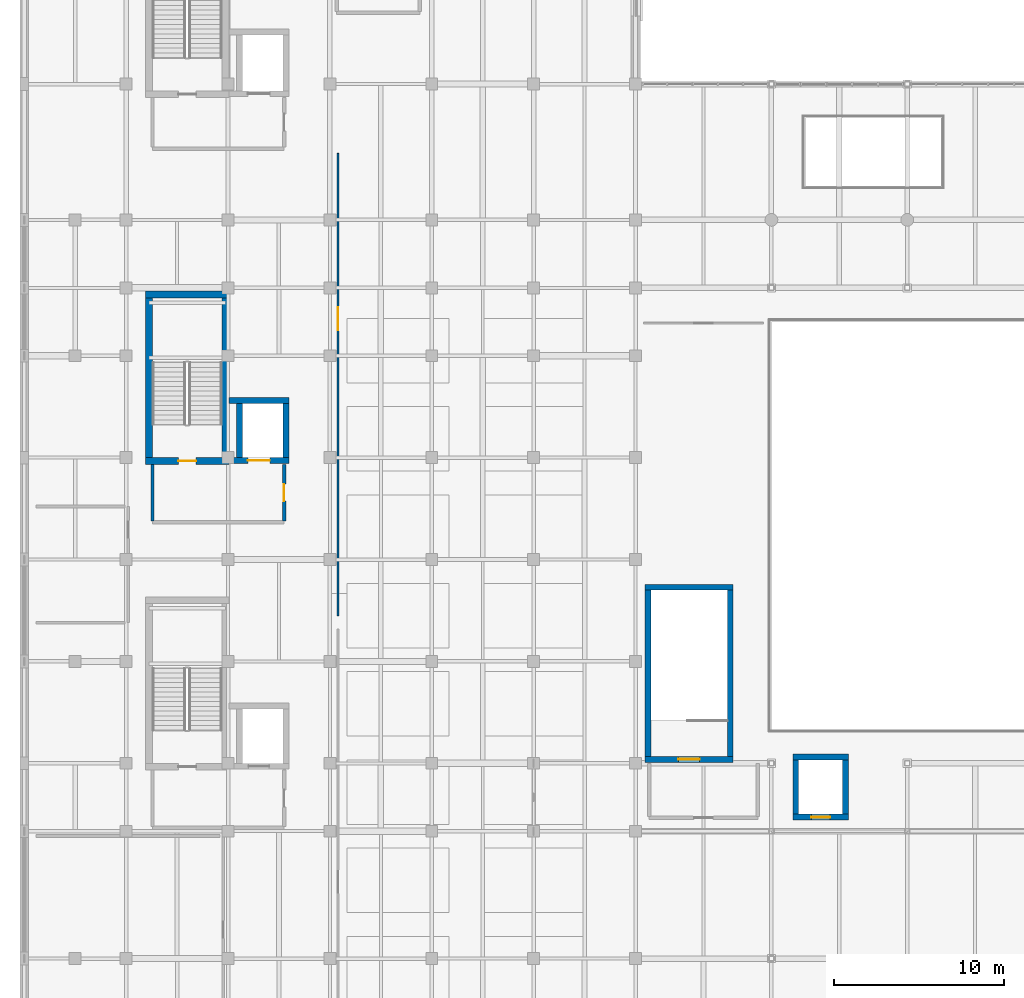
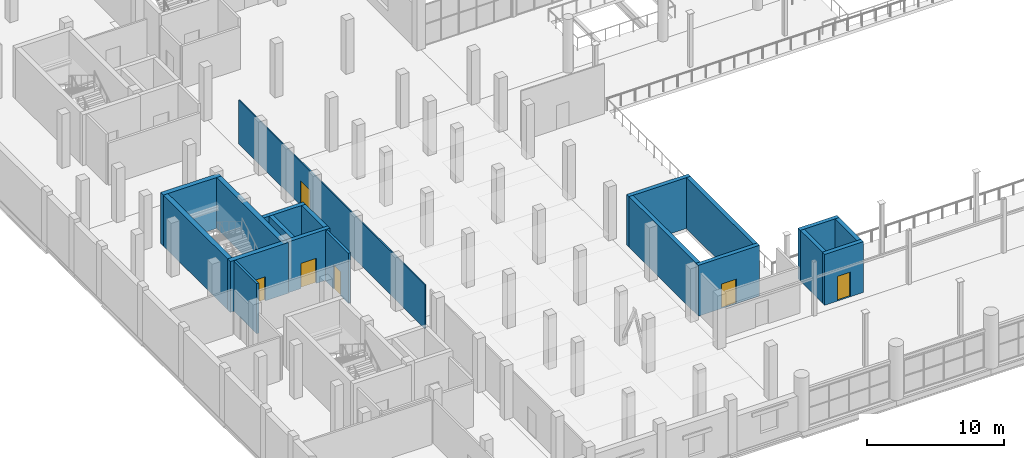
# One storey, part 97 of 114: 19 walls, 6 doors, 6 openings.
"""IFC4 building model written with IfcOpenShell, lengths in metres."""

from ifc_helpers import new_model, si_unit, direction, frame, frame_2d, origin, place, context, subcontext, project, spatial, rectangle, extrude, material, layer, layer_set, type_object, element, fill, save


model = new_model("IFC4")

# Units and contexts
model_context = context("Model", 3, precision=1e-05, world=origin(), true_north=direction((0.0, 1.0)))
body_context = subcontext(model_context, "Body", "Model", "MODEL_VIEW")
ifc_project = project(units=[si_unit("LENGTHUNIT", "METRE"), si_unit("AREAUNIT", "SQUARE_METRE"), si_unit("VOLUMEUNIT", "CUBIC_METRE"), si_unit("PLANEANGLEUNIT", "RADIAN"), si_unit("MASSUNIT", "GRAM", prefix="KILO")], contexts=[model_context])

# Site, building, storey
site_placement = place(None, origin())
site = spatial("IfcSite", under=ifc_project, at=site_placement, CompositionType="ELEMENT")
building_placement = place(site_placement, origin())
building = spatial("IfcBuilding", under=site, at=building_placement, Name="Verrall Gate Interchange", CompositionType="ELEMENT")
storey_placement = place(building_placement, frame((0.0, 0.0, 6.60009765625)))
storey = spatial("IfcBuildingStorey", under=building, at=storey_placement, Name="L02", CompositionType="ELEMENT", Elevation=6.60009765625)

# Wall
ifc_material_1 = material(Name="Fire-Rated Type X Gypsum Stud Partition Assembly (60 min)", Category="gypsum")
ifc_layer_1 = layer(ifc_material_1, 0.199951171875)
ifc_layer_set_1 = layer_set([ifc_layer_1], Name="Fire-Rated Type X Gypsum Stud Partition Assembly (60 min)")
wall_type_1 = type_object("IfcWallType", Name="IW-01 Interior Partition Wall 200", PredefinedType="PARTITIONING", material=ifc_layer_set_1)
wall_1_placement = place(storey_placement, frame((7.550048828125, 33.60009765625, 0.0), z_axis=(0.0, 0.0, 1.0), x_axis=(0.0, -1.0, 0.0)))
element("IfcWall", 1, at=wall_1_placement, inside=storey, type_object=wall_type_1, Name="L02 Core C2 Lobby West Rated Wall", PredefinedType="PARTITIONING", context=body_context, shape_type="SweptSolid", body=[
    extrude(rectangle(XDim=3.320068359375, YDim=0.199951171875, at=frame_2d((1.66015625, 0.0))), origin(), (0.0, 0.0, 1.0), 4.47998046875),
])

# Wall, opening, door
wall_2_placement = place(storey_placement, frame((15.300048828125, 30.280029296875, 0.0), z_axis=(0.0, 0.0, 1.0), x_axis=(0.0, 1.0, 0.0)))
wall_2 = element("IfcWall", 2, at=wall_2_placement, inside=storey, type_object=wall_type_1, Name="L02 Core C2 Lobby East Rated Wall", PredefinedType="PARTITIONING", context=body_context, shape_type="SweptSolid", body=[
    extrude(rectangle(XDim=3.320068359375, YDim=0.199951171875, at=frame_2d((1.66015625, 0.0))), origin(), (0.0, 0.0, 1.0), 4.47998046875),
])
opening_1_placement = place(wall_2_placement, frame((1.159912109375, 0.0, 0.0)))
opening_1 = element("IfcOpeningElement", 3, at=opening_1_placement, cuts=wall_2, Name="Opening LBD031", PredefinedType="OPENING", context=body_context, shape_type="SweptSolid", body=[
    extrude(rectangle(XDim=1.0, YDim=2.14990234375, at=frame_2d((0.5, 1.074951171875))), frame((0.0, 0.11474609375, 0.0), z_axis=(0.0, -1.0, 0.0), x_axis=(1.0, 0.0, 0.0)), (0.0, 0.0, 1.0), 0.229736328125),
])
ifc_material_2 = material(Name="Hollow-Metal Fire-Rated Door Assembly", Category="metal")
door_type_1 = type_object("IfcDoorType", Name="ID-05 Interior Swing Door 1000x2150", OperationType="NOTDEFINED", PredefinedType="DOOR", material=ifc_material_2)
door_1_placement = place(opening_1_placement, origin())
door_1 = element("IfcDoor", 4, at=door_1_placement, inside=storey, type_object=door_type_1, Name="L02 Core C2 Lobby Fire Door LBD031", OperationType="SINGLE_SWING_LEFT", OverallHeight=2.14990234375, OverallWidth=1.0, PredefinedType="DOOR", context=body_context, shape_type="SweptSolid", body=[
    extrude(rectangle(XDim=1.0, YDim=2.14990234375, at=frame_2d((0.5, 1.074951171875))), frame((0.0, 0.02490234375, 0.0), z_axis=(0.0, -1.0, 0.0), x_axis=(1.0, 0.0, 0.0)), (0.0, 0.0, 1.0), 0.050048828125),
])
fill(opening_1, door_1)

ifc_material_3 = material(Name="Acoustic Steel-Stud Partition Assembly", Category="steel")
ifc_layer_2 = layer(ifc_material_3, 0.10009765625)
ifc_layer_set_2 = layer_set([ifc_layer_2], Name="Acoustic Steel-Stud Partition Assembly")
wall_type_2 = type_object("IfcWallType", Name="IW-05 Interior Partition Wall 100", PredefinedType="PARTITIONING", material=ifc_layer_set_2)
wall_3_placement = place(storey_placement, frame((18.47998046875, 24.679931640625, 0.0), z_axis=(0.0, 0.0, 1.0), x_axis=(0.0, 1.0, 0.0)))
wall_3 = element("IfcWall", 5, at=wall_3_placement, inside=storey, type_object=wall_type_2, Name="L02 Operator Duty Rest and Locker Suite Partition 041", PredefinedType="PARTITIONING", context=body_context, shape_type="SweptSolid", body=[
    extrude(rectangle(XDim=27.239990234375, YDim=0.10009765625, at=frame_2d((13.6201171875, 0.0))), origin(), (0.0, 0.0, 1.0), 3.910888671875),
])
opening_2_placement = place(wall_3_placement, frame((16.822021484375, 0.0, 0.0)))
opening_2 = element("IfcOpeningElement", 6, at=opening_2_placement, cuts=wall_3, Name="Opening D034", PredefinedType="OPENING", context=body_context, shape_type="SweptSolid", body=[
    extrude(rectangle(XDim=1.360107421875, YDim=2.199951171875, at=frame_2d((0.68017578125, 1.10009765625))), frame((0.0, 0.06494140625, 0.0), z_axis=(0.0, -1.0, 0.0), x_axis=(1.0, 0.0, 0.0)), (0.0, 0.0, 1.0), 0.1298828125),
])
ifc_material_4 = material(Name="Architectural Solid-Core Birch Acoustic Door Assembly", Category="wood")
door_type_2 = type_object("IfcDoorType", Name="ID-17 Interior Swing Door 1360x2200", OperationType="NOTDEFINED", PredefinedType="DOOR", material=ifc_material_4)
door_2_placement = place(opening_2_placement, origin())
door_2 = element("IfcDoor", 7, at=door_2_placement, inside=storey, type_object=door_type_2, Name="L02 Operator Duty Rest and Locker Suite Door D034", OperationType="SINGLE_SWING_LEFT", OverallHeight=2.199951171875, OverallWidth=1.360107421875, PredefinedType="DOOR", context=body_context, shape_type="SweptSolid", body=[
    extrude(rectangle(XDim=1.360107421875, YDim=2.199951171875, at=frame_2d((0.68017578125, 1.10009765625))), frame((0.0, 0.02490234375, 0.0), z_axis=(0.0, -1.0, 0.0), x_axis=(1.0, 0.0, 0.0)), (0.0, 0.0, 1.0), 0.050048828125),
])
fill(opening_2, door_2)

ifc_material_5 = material(Name="Concrete CSA A23.1 40 MPa (Class N)", Category="concrete")
ifc_layer_3 = layer(ifc_material_5, 0.39990234375)
ifc_layer_set_3 = layer_set([ifc_layer_3], Name="Concrete CSA A23.1 40 MPa (Class N)")
wall_type_3 = type_object("IfcWallType", Name="SW-01 Core Shear Wall 400", PredefinedType="SHEAR", material=ifc_layer_set_3)
wall_4_placement = place(storey_placement, frame((7.14990234375, 33.800048828125, 0.0), z_axis=(0.0, 0.0, 1.0), x_axis=(1.0, 0.0, 0.0)))
wall_4 = element("IfcWall", 8, at=wall_4_placement, inside=storey, type_object=wall_type_3, Name="L02 Core C2 South Shear Wall", PredefinedType="SHEAR", context=body_context, shape_type="SweptSolid", body=[
    extrude(rectangle(XDim=4.900146484375, YDim=0.39990234375, at=frame_2d((2.4501953125, 0.0))), origin(), (0.0, 0.0, 1.0), 4.539794921875),
])
opening_3_placement = place(wall_4_placement, frame((1.925048828125, 0.0, 0.0)))
opening_3 = element("IfcOpeningElement", 9, at=opening_3_placement, cuts=wall_4, Name="Opening SD022", PredefinedType="OPENING", context=body_context, shape_type="SweptSolid", body=[
    extrude(rectangle(XDim=1.050048828125, YDim=2.14990234375, at=frame_2d((0.52490234375, 1.074951171875))), frame((0.0, 0.21484375, 0.0), z_axis=(0.0, -1.0, 0.0), x_axis=(1.0, 0.0, 0.0)), (0.0, 0.0, 1.0), 0.4296875),
])
ifc_material_6 = material(Name="Hollow-Metal Fire-Rated Door Assembly", Category="metal")
door_type_3 = type_object("IfcDoorType", Name="ID-01 Interior Swing Door 1050x2150", OperationType="NOTDEFINED", PredefinedType="DOOR", material=ifc_material_6)
door_3_placement = place(opening_3_placement, origin())
door_3 = element("IfcDoor", 10, at=door_3_placement, inside=storey, type_object=door_type_3, Name="L02 Stair ST-02 Fire Door SD022", OperationType="SINGLE_SWING_RIGHT", OverallHeight=2.14990234375, OverallWidth=1.050048828125, PredefinedType="DOOR", context=body_context, shape_type="SweptSolid", body=[
    extrude(rectangle(XDim=1.050048828125, YDim=2.14990234375, at=frame_2d((0.52490234375, 1.074951171875))), frame((0.0, 0.02490234375, 0.0), z_axis=(0.0, -1.0, 0.0), x_axis=(1.0, 0.0, 0.0)), (0.0, 0.0, 1.0), 0.050048828125),
])
fill(opening_3, door_3)

# Walls
wall_5_placement = place(storey_placement, frame((12.050048828125, 43.60009765625, 0.0), z_axis=(0.0, 0.0, 1.0), x_axis=(-1.0, 0.0, 0.0)))
element("IfcWall", 11, at=wall_5_placement, inside=storey, type_object=wall_type_3, Name="L02 Core C2 North Shear Wall", PredefinedType="SHEAR", context=body_context, shape_type="SweptSolid", body=[
    extrude(rectangle(XDim=4.900146484375, YDim=0.39990234375, at=frame_2d((2.4501953125, 0.0))), origin(), (0.0, 0.0, 1.0), 4.539794921875),
])
for number, where, z_axis, x_axis, name in (
    (12, (7.35009765625, 43.39990234375, 0.0), (0.0, 0.0, 1.0), (0.0, -1.0, 0.0), "L02 Core C2 West Shear Wall"),
    (13, (11.85009765625, 34.0, 0.0), (0.0, 0.0, 1.0), (0.0, 1.0, 0.0), "L02 Core C2 East Shear Wall"),
):
    element("IfcWall", number, at=place(storey_placement, frame(where, z_axis=z_axis, x_axis=x_axis)), inside=storey, type_object=wall_type_3, Name=name, PredefinedType="SHEAR", context=body_context, shape_type="SweptSolid", body=[
        extrude(rectangle(XDim=9.39990234375, YDim=0.39990234375, at=frame_2d((4.699951171875, 0.0))), origin(), (0.0, 0.0, 1.0), 4.539794921875),
    ])

# Wall, opening, door
ifc_material_7 = material(Name="Concrete CSA A23.1 40 MPa (Class N)", Category="concrete")
ifc_layer_4 = layer(ifc_material_7, 0.340087890625)
ifc_layer_set_4 = layer_set([ifc_layer_4], Name="Concrete CSA A23.1 40 MPa (Class N)")
wall_type_4 = type_object("IfcWallType", Name="SW-02 Core Shear Wall 340", PredefinedType="SHEAR", material=ifc_layer_set_4)
wall_6_placement = place(storey_placement, frame((12.050048828125, 33.830078125, 0.0), z_axis=(0.0, 0.0, 1.0), x_axis=(1.0, 0.0, 0.0)))
wall_6 = element("IfcWall", 14, at=wall_6_placement, inside=storey, type_object=wall_type_4, Name="L02 Elevator EL-02 South Shaft Wall", PredefinedType="SHEAR", context=body_context, shape_type="SweptSolid", body=[
    extrude(rectangle(XDim=3.5400390625, YDim=0.340087890625, at=frame_2d((1.77001953125, 0.0))), origin(), (0.0, 0.0, 1.0), 4.539794921875),
])
opening_4_placement = place(wall_6_placement, frame((1.1201171875, 0.0, 0.0)))
opening_4 = element("IfcOpeningElement", 15, at=opening_4_placement, cuts=wall_6, Name="Opening LD-02-L02", PredefinedType="OPENING", context=body_context, shape_type="SweptSolid", body=[
    extrude(rectangle(XDim=1.300048828125, YDim=2.25, at=frame_2d((0.64990234375, 1.125))), frame((0.0, 0.18505859375, 0.0), z_axis=(0.0, -1.0, 0.0), x_axis=(1.0, 0.0, 0.0)), (0.0, 0.0, 1.0), 0.369873046875),
])
ifc_material_8 = material(Name="Stainless-Steel Elevator Landing Sliding Door Assembly", Category="steel")
door_type_4 = type_object("IfcDoorType", Name="LD-03 Elevator Sliding Landing Door 1300x2250", OperationType="NOTDEFINED", PredefinedType="DOOR", material=ifc_material_8)
door_4_placement = place(opening_4_placement, origin())
door_4 = element("IfcDoor", 16, at=door_4_placement, inside=storey, type_object=door_type_4, Name="L02 Elevator EL-02 Sliding Landing Door", OperationType="DOUBLE_DOOR_SLIDING", OverallHeight=2.25, OverallWidth=1.300048828125, PredefinedType="DOOR", context=body_context, shape_type="SweptSolid", body=[
    extrude(rectangle(XDim=1.300048828125, YDim=2.25, at=frame_2d((0.64990234375, 1.125))), frame((0.0, 0.02490234375, 0.0), z_axis=(0.0, -1.0, 0.0), x_axis=(1.0, 0.0, 0.0)), (0.0, 0.0, 1.0), 0.050048828125),
])
fill(opening_4, door_4)

# Walls
wall_7_placement = place(storey_placement, frame((15.590087890625, 37.3701171875, 0.0), z_axis=(0.0, 0.0, 1.0), x_axis=(-1.0, 0.0, 0.0)))
element("IfcWall", 17, at=wall_7_placement, inside=storey, type_object=wall_type_4, Name="L02 Elevator EL-02 North Shaft Wall", PredefinedType="SHEAR", context=body_context, shape_type="SweptSolid", body=[
    extrude(rectangle(XDim=3.5400390625, YDim=0.340087890625, at=frame_2d((1.77001953125, 0.0))), origin(), (0.0, 0.0, 1.0), 4.539794921875),
])
for number, where, z_axis, x_axis, name in (
    (18, (12.679931640625, 37.199951171875, 0.0), (0.0, 0.0, 1.0), (0.0, -1.0, 0.0), "L02 Elevator EL-02 West Shaft Wall"),
    (19, (15.419921875, 34.0, 0.0), (0.0, 0.0, 1.0), (0.0, 1.0, 0.0), "L02 Elevator EL-02 East Shaft Wall"),
):
    element("IfcWall", number, at=place(storey_placement, frame(where, z_axis=z_axis, x_axis=x_axis)), inside=storey, type_object=wall_type_4, Name=name, PredefinedType="SHEAR", context=body_context, shape_type="SweptSolid", body=[
        extrude(rectangle(XDim=3.199951171875, YDim=0.340087890625, at=frame_2d((1.60009765625, 0.0))), origin(), (0.0, 0.0, 1.0), 4.539794921875),
    ])

# Wall, opening, door
wall_8_placement = place(storey_placement, frame((36.56005859375, 16.22998046875, 0.0), z_axis=(0.0, 0.0, 1.0), x_axis=(1.0, 0.0, 0.0)))
wall_8 = element("IfcWall", 20, at=wall_8_placement, inside=storey, type_object=wall_type_4, Name="L02 Core C5 South Shear Wall", PredefinedType="SHEAR", context=body_context, shape_type="SweptSolid", body=[
    extrude(rectangle(XDim=5.179931640625, YDim=0.340087890625, at=frame_2d((2.58984375, 0.0))), origin(), (0.0, 0.0, 1.0), 4.539794921875),
])
opening_5_placement = place(wall_8_placement, frame((1.965087890625, 0.0, 0.0)))
opening_5 = element("IfcOpeningElement", 21, at=opening_5_placement, cuts=wall_8, Name="Opening SD066", PredefinedType="OPENING", context=body_context, shape_type="SweptSolid", body=[
    extrude(rectangle(XDim=1.25, YDim=2.199951171875, at=frame_2d((0.625, 1.10009765625))), frame((0.0, 0.18505859375, 0.0), z_axis=(0.0, -1.0, 0.0), x_axis=(1.0, 0.0, 0.0)), (0.0, 0.0, 1.0), 0.369873046875),
])
ifc_material_9 = material(Name="Hollow-Metal Fire-Rated Door Assembly", Category="metal")
door_type_5 = type_object("IfcDoorType", Name="ID-03 Interior Swing Door 1250x2200", OperationType="NOTDEFINED", PredefinedType="DOOR", material=ifc_material_9)
door_5_placement = place(opening_5_placement, origin())
door_5 = element("IfcDoor", 22, at=door_5_placement, inside=storey, type_object=door_type_5, Name="L02 Stair ST-05 Fire Door SD066", OperationType="SINGLE_SWING_RIGHT", OverallHeight=2.199951171875, OverallWidth=1.25, PredefinedType="DOOR", context=body_context, shape_type="SweptSolid", body=[
    extrude(rectangle(XDim=1.25, YDim=2.199951171875, at=frame_2d((0.625, 1.10009765625))), frame((0.0, 0.02490234375, 0.0), z_axis=(0.0, -1.0, 0.0), x_axis=(1.0, 0.0, 0.0)), (0.0, 0.0, 1.0), 0.050048828125),
])
fill(opening_5, door_5)

# Walls
wall_9_placement = place(storey_placement, frame((41.739990234375, 26.3701171875, 0.0), z_axis=(0.0, 0.0, 1.0), x_axis=(-1.0, 0.0, 0.0)))
element("IfcWall", 23, at=wall_9_placement, inside=storey, type_object=wall_type_4, Name="L02 Core C5 North Shear Wall", PredefinedType="SHEAR", context=body_context, shape_type="SweptSolid", body=[
    extrude(rectangle(XDim=5.179931640625, YDim=0.340087890625, at=frame_2d((2.58984375, 0.0))), origin(), (0.0, 0.0, 1.0), 4.539794921875),
])
for number, where, z_axis, x_axis, name in (
    (24, (36.72998046875, 26.199951171875, 0.0), (0.0, 0.0, 1.0), (0.0, -1.0, 0.0), "L02 Core C5 West Shear Wall"),
    (25, (41.570068359375, 16.39990234375, 0.0), (0.0, 0.0, 1.0), (0.0, 1.0, 0.0), "L02 Core C5 East Shear Wall"),
):
    element("IfcWall", number, at=place(storey_placement, frame(where, z_axis=z_axis, x_axis=x_axis)), inside=storey, type_object=wall_type_4, Name=name, PredefinedType="SHEAR", context=body_context, shape_type="SweptSolid", body=[
        extrude(rectangle(XDim=9.800048828125, YDim=0.340087890625, at=frame_2d((4.89990234375, 0.0))), origin(), (0.0, 0.0, 1.0), 4.539794921875),
    ])

# Wall, opening, door
wall_10_placement = place(storey_placement, frame((45.260009765625, 12.830078125, 0.0), z_axis=(0.0, 0.0, 1.0), x_axis=(1.0, 0.0, 0.0)))
wall_10 = element("IfcWall", 26, at=wall_10_placement, inside=storey, type_object=wall_type_4, Name="L02 Elevator EL-03 South Shaft Wall", PredefinedType="SHEAR", context=body_context, shape_type="SweptSolid", body=[
    extrude(rectangle(XDim=3.280029296875, YDim=0.340087890625, at=frame_2d((1.64013671875, 0.0))), origin(), (0.0, 0.0, 1.0), 4.539794921875),
])
opening_6_placement = place(wall_10_placement, frame((1.090087890625, 0.0, 0.0)))
opening_6 = element("IfcOpeningElement", 27, at=opening_6_placement, cuts=wall_10, Name="Opening LD-03-L02", PredefinedType="OPENING", context=body_context, shape_type="SweptSolid", body=[
    extrude(rectangle(XDim=1.10009765625, YDim=2.199951171875, at=frame_2d((0.550048828125, 1.10009765625))), frame((0.0, 0.18505859375, 0.0), z_axis=(0.0, -1.0, 0.0), x_axis=(1.0, 0.0, 0.0)), (0.0, 0.0, 1.0), 0.369873046875),
])
ifc_material_10 = material(Name="Stainless-Steel Elevator Landing Sliding Door Assembly", Category="steel")
door_type_6 = type_object("IfcDoorType", Name="LD-01 Elevator Sliding Landing Door 1100x2200", OperationType="NOTDEFINED", PredefinedType="DOOR", material=ifc_material_10)
door_6_placement = place(opening_6_placement, origin())
door_6 = element("IfcDoor", 28, at=door_6_placement, inside=storey, type_object=door_type_6, Name="L02 Elevator EL-03 Sliding Landing Door", OperationType="DOUBLE_DOOR_SLIDING", OverallHeight=2.199951171875, OverallWidth=1.10009765625, PredefinedType="DOOR", context=body_context, shape_type="SweptSolid", body=[
    extrude(rectangle(XDim=1.10009765625, YDim=2.199951171875, at=frame_2d((0.550048828125, 1.10009765625))), frame((0.0, 0.02490234375, 0.0), z_axis=(0.0, -1.0, 0.0), x_axis=(1.0, 0.0, 0.0)), (0.0, 0.0, 1.0), 0.050048828125),
])
fill(opening_6, door_6)

# Walls
wall_11_placement = place(storey_placement, frame((48.5400390625, 16.3701171875, 0.0), z_axis=(0.0, 0.0, 1.0), x_axis=(-1.0, 0.0, 0.0)))
element("IfcWall", 29, at=wall_11_placement, inside=storey, type_object=wall_type_4, Name="L02 Elevator EL-03 North Shaft Wall", PredefinedType="SHEAR", context=body_context, shape_type="SweptSolid", body=[
    extrude(rectangle(XDim=3.280029296875, YDim=0.340087890625, at=frame_2d((1.64013671875, 0.0))), origin(), (0.0, 0.0, 1.0), 4.539794921875),
])
for number, where, z_axis, x_axis, name in (
    (30, (45.429931640625, 16.199951171875, 0.0), (0.0, 0.0, 1.0), (0.0, -1.0, 0.0), "L02 Elevator EL-03 West Shaft Wall"),
    (31, (48.3701171875, 13.0, 0.0), (0.0, 0.0, 1.0), (0.0, 1.0, 0.0), "L02 Elevator EL-03 East Shaft Wall"),
):
    element("IfcWall", number, at=place(storey_placement, frame(where, z_axis=z_axis, x_axis=x_axis)), inside=storey, type_object=wall_type_4, Name=name, PredefinedType="SHEAR", context=body_context, shape_type="SweptSolid", body=[
        extrude(rectangle(XDim=3.199951171875, YDim=0.340087890625, at=frame_2d((1.60009765625, 0.0))), origin(), (0.0, 0.0, 1.0), 4.539794921875),
    ])

save(model, "model.ifc")
